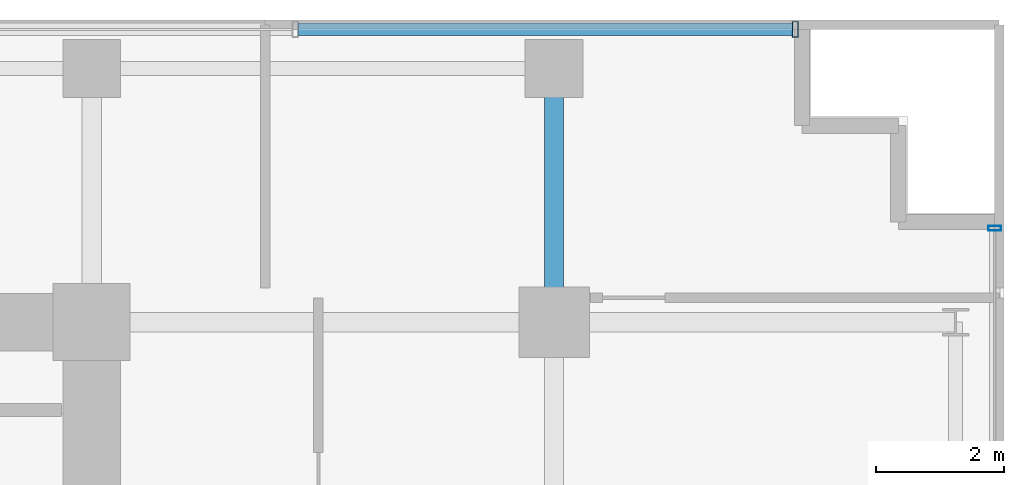
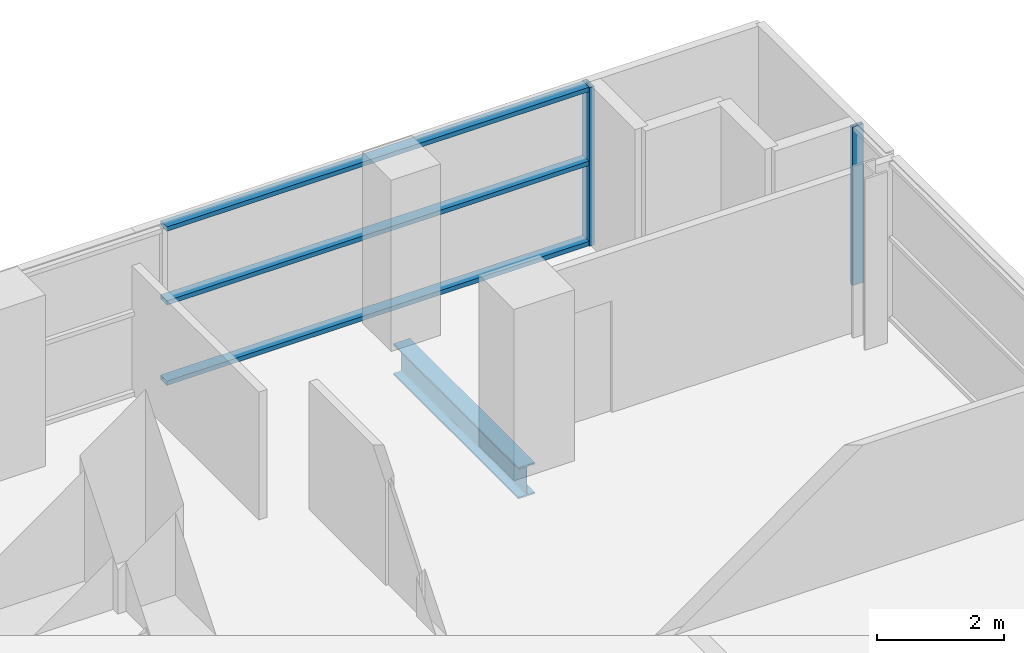
# One storey, part 21 of 31: 5 members, 1 beam, 2 elements without a shape of their own.
"""IFC4 building model written with IfcOpenShell, lengths in metres."""

from ifc_helpers import new_model, si_unit, direction, frame, origin, origin_2d, place, context, subcontext, project, spatial, hollow_rectangle, i_section, extrude, source, transform, mapped, material, layer, layer_set, material_profile, profile_set, type_object, element, aggregate, save


model = new_model("IFC4")

# Units and contexts
model_context = context("Model", 3, precision=1e-05, world=origin(), true_north=direction((0.0, 1.0)))
body_context = subcontext(model_context, "Body", "Model", "MODEL_VIEW")
ifc_project = project(units=[si_unit("LENGTHUNIT", "METRE"), si_unit("AREAUNIT", "SQUARE_METRE"), si_unit("VOLUMEUNIT", "CUBIC_METRE"), si_unit("PLANEANGLEUNIT", "RADIAN"), si_unit("MASSUNIT", "GRAM", prefix="KILO")], contexts=[model_context])

# Site, building, storey
site_placement = place(None, origin())
site = spatial("IfcSite", under=ifc_project, at=site_placement, CompositionType="ELEMENT")
building_placement = place(site_placement, origin())
building = spatial("IfcBuilding", under=site, at=building_placement, Name="Zarnakvel Exchange Tower", CompositionType="ELEMENT")
storey_placement = place(building_placement, frame((0.0, 0.0, 47.199951171875)))
storey = spatial("IfcBuildingStorey", under=building, at=storey_placement, Name="L12", CompositionType="ELEMENT", Elevation=47.199951171875)

# Beam
ifc_material_1 = material(Name="Steel S355", Category="steel")
ifc_material_profile_1 = material_profile(ifc_material_1, i_section(OverallWidth=0.300048828125, OverallDepth=0.60009765625, WebThickness=0.015380859375, FlangeThickness=0.030029296875, FilletRadius=0.027099609375, at=origin_2d()))
ifc_profile_set_1 = profile_set([ifc_material_profile_1], Name="Steel S355")
beam_type = type_object("IfcBeamType", Name="G-04", PredefinedType="BEAM", material=ifc_profile_set_1)
beam_placement = place(storey_placement, frame((21.60009765625, 13.5, -0.52490234375), z_axis=(0.0, 1.0, 0.0), x_axis=(-1.0, 0.0, 0.0)))
element("IfcBeam", 1, at=beam_placement, inside=storey, type_object=beam_type, Name="L12 Tower N-S Frame Beam", PredefinedType="BEAM", context=body_context, shape_type="SweptSolid", body=[
    extrude(i_section(OverallWidth=0.300048828125, OverallDepth=0.60009765625, WebThickness=0.015380859375, FlangeThickness=0.030029296875, FilletRadius=0.027099609375, at=origin_2d()), origin(), (0.0, 0.0, 1.0), 3.949951171875),
])

# Curtain wall, members
ifc_material_2 = material(Name="Architectural Bronze Anodised Aluminium", Category="aluminium")
ifc_layer_1 = layer(ifc_material_2, 0.239990234375)
ifc_layer_set_1 = layer_set([ifc_layer_1], Name="Architectural Bronze Anodised Aluminium")
curtain_wall_type_1 = type_object("IfcCurtainWallType", Name="CW-02", PredefinedType="NOTDEFINED", material=ifc_layer_set_1)
curtain_wall_1_placement = place(storey_placement, origin())
curtain_wall_1 = element("IfcCurtainWall", 2, at=curtain_wall_1_placement, inside=storey, type_object=curtain_wall_type_1, Name="L12 Curtain Wall CW-L12-N1 (CW-02)", PredefinedType="NOTDEFINED")
ifc_material_profile_2 = material_profile(ifc_material_2, hollow_rectangle(XDim=0.199951171875, YDim=0.0849609375, WallThickness=0.0048828125, at=origin_2d()))
ifc_profile_set_2 = profile_set([ifc_material_profile_2], Name="Architectural Bronze Anodised Aluminium")
member_type_1 = type_object("IfcMemberType", Name="CWT-02", PredefinedType="USERDEFINED", material=ifc_profile_set_2)
shared_shape_1 = source(origin(), body_context, "Body", "SweptSolid", [
    extrude(hollow_rectangle(XDim=0.199951171875, YDim=0.0849609375, WallThickness=0.0048828125, at=origin_2d()), origin(), (0.0, 0.0, 1.0), 7.693603515625),
])
member_1_placement = place(storey_placement, frame((17.616455078125, 18.06005859375, 0.04248046875), z_axis=(1.0, 0.0, 0.0), x_axis=(0.0, 1.0, 0.0)))
member_1 = element("IfcMember", 3, at=member_1_placement, type_object=member_type_1, Name="CW-02 transom 7.1", ObjectType="TRANSOM", PredefinedType="USERDEFINED", context=body_context, shape_type="MappedRepresentation", body=[
    mapped(shared_shape_1, transform((0.0, 0.0, 0.0), x_axis=(1.0, 0.0, 0.0), y_axis=(0.0, 1.0, 0.0), z_axis=(0.0, 0.0, 1.0), scale=1.0)),
])
member_2_placement = place(storey_placement, frame((17.616455078125, 18.06005859375, 1.588623046875), z_axis=(1.0, 0.0, 0.0), x_axis=(0.0, 1.0, 0.0)))
member_2 = element("IfcMember", 4, at=member_2_placement, type_object=member_type_1, Name="CW-02 transom 7.2", ObjectType="TRANSOM", PredefinedType="USERDEFINED", context=body_context, shape_type="MappedRepresentation", body=[
    mapped(shared_shape_1, transform((0.0, 0.0, 0.0), x_axis=(1.0, 0.0, 0.0), y_axis=(0.0, 1.0, 0.0), z_axis=(0.0, 0.0, 1.0), scale=1.0)),
])
member_3_placement = place(storey_placement, frame((17.616455078125, 18.06005859375, 3.012451171875), z_axis=(1.0, 0.0, 0.0), x_axis=(0.0, 1.0, 0.0)))
member_3 = element("IfcMember", 5, at=member_3_placement, type_object=member_type_1, Name="CW-02 transom 7.3", ObjectType="TRANSOM", PredefinedType="USERDEFINED", context=body_context, shape_type="MappedRepresentation", body=[
    mapped(shared_shape_1, transform((0.0, 0.0, 0.0), x_axis=(1.0, 0.0, 0.0), y_axis=(0.0, 1.0, 0.0), z_axis=(0.0, 0.0, 1.0), scale=1.0)),
])
ifc_material_profile_3 = material_profile(ifc_material_2, hollow_rectangle(XDim=0.239990234375, YDim=0.090087890625, WallThickness=0.006103515625, at=origin_2d()))
ifc_profile_set_3 = profile_set([ifc_material_profile_3], Name="Architectural Bronze Anodised Aluminium")
member_type_2 = type_object("IfcMemberType", Name="CWM-02", PredefinedType="MULLION", material=ifc_profile_set_3)
shared_shape_2 = source(origin(), body_context, "Body", "SweptSolid", [
    extrude(hollow_rectangle(XDim=0.239990234375, YDim=0.090087890625, WallThickness=0.006103515625, at=origin_2d()), origin(), (0.0, 0.0, 1.0), 3.054931640625),
])
member_4_placement = place(storey_placement, frame((25.35498046875, 18.06005859375, 0.0), z_axis=(0.0, 0.0, 1.0), x_axis=(0.0, 1.0, 0.0)))
member_4 = element("IfcMember", 6, at=member_4_placement, type_object=member_type_2, Name="CW-02 mullion 8", PredefinedType="MULLION", context=body_context, shape_type="MappedRepresentation", body=[
    mapped(shared_shape_2, transform((0.0, 0.0, 0.0), x_axis=(1.0, 0.0, 0.0), y_axis=(0.0, 1.0, 0.0), z_axis=(0.0, 0.0, 1.0), scale=1.0)),
])
aggregate(curtain_wall_1, [member_4, member_1, member_2, member_3])

# Curtain wall, member
ifc_layer_2 = layer(ifc_material_2, 0.199951171875)
ifc_layer_set_2 = layer_set([ifc_layer_2], Name="Architectural Bronze Anodised Aluminium")
curtain_wall_type_2 = type_object("IfcCurtainWallType", Name="CW-04", PredefinedType="NOTDEFINED", material=ifc_layer_set_2)
curtain_wall_2_placement = place(storey_placement, origin())
curtain_wall_2 = element("IfcCurtainWall", 7, at=curtain_wall_2_placement, inside=storey, type_object=curtain_wall_type_2, Name="L12 Curtain Wall CW-L12-E1 (CW-04)", PredefinedType="NOTDEFINED")
ifc_material_profile_4 = material_profile(ifc_material_2, hollow_rectangle(XDim=0.199951171875, YDim=0.074951171875, WallThickness=0.0048828125, at=origin_2d()))
ifc_profile_set_4 = profile_set([ifc_material_profile_4], Name="Architectural Bronze Anodised Aluminium")
member_type_3 = type_object("IfcMemberType", Name="CWM-04", PredefinedType="MULLION", material=ifc_profile_set_4)
shared_shape_3 = source(origin(), body_context, "Body", "SweptSolid", [
    extrude(hollow_rectangle(XDim=0.199951171875, YDim=0.074951171875, WallThickness=0.0048828125, at=origin_2d()), origin(), (0.0, 0.0, 1.0), 3.054931640625),
])
member_5_placement = place(storey_placement, frame((28.4599609375, 14.96240234375, 0.0), z_axis=(0.0, 0.0, 1.0), x_axis=(-1.0, 0.0, 0.0)))
member_5 = element("IfcMember", 8, at=member_5_placement, type_object=member_type_3, Name="CW-04 mullion 5", PredefinedType="MULLION", context=body_context, shape_type="MappedRepresentation", body=[
    mapped(shared_shape_3, transform((0.0, 0.0, 0.0), x_axis=(1.0, 0.0, 0.0), y_axis=(0.0, 1.0, 0.0), z_axis=(0.0, 0.0, 1.0), scale=1.0)),
])
aggregate(curtain_wall_2, [member_5])

save(model, "model.ifc")
